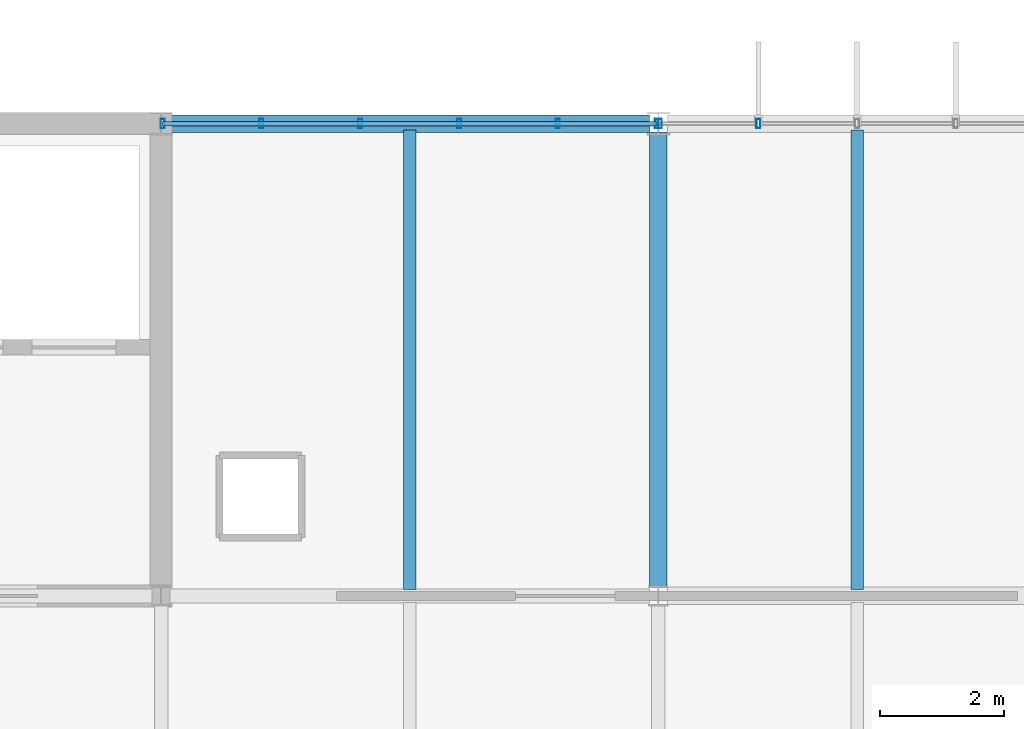
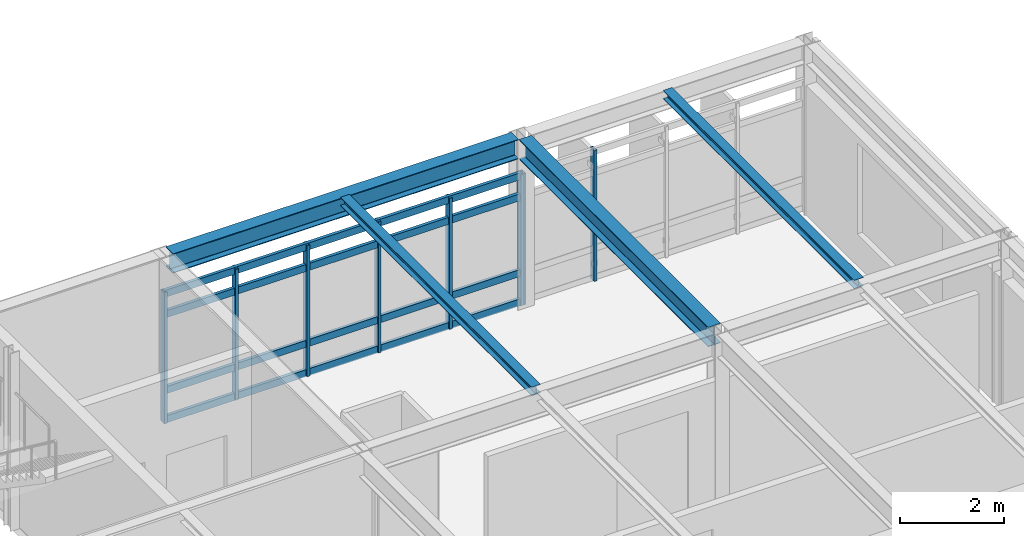
# One storey, part 18 of 45: 12 members, 4 beams, 2 elements without a shape of their own.
"""IFC4 building model written with IfcOpenShell, lengths in metres."""

from ifc_helpers import new_model, si_unit, direction, frame, origin, origin_2d, place, context, subcontext, project, spatial, hollow_rectangle, i_section, extrude, material, material_profile, profile_set, type_object, element, aggregate, save


model = new_model("IFC4")

# Units and contexts
model_context = context("Model", 3, precision=1e-05, world=origin(), true_north=direction((0.0, 1.0)))
body_context = subcontext(model_context, "Body", "Model", "MODEL_VIEW")
ifc_project = project(units=[si_unit("LENGTHUNIT", "METRE"), si_unit("AREAUNIT", "SQUARE_METRE"), si_unit("VOLUMEUNIT", "CUBIC_METRE"), si_unit("PLANEANGLEUNIT", "RADIAN"), si_unit("MASSUNIT", "GRAM", prefix="KILO")], contexts=[model_context])

# Site, building, storey
site_placement = place(None, origin())
site = spatial("IfcSite", under=ifc_project, at=site_placement, CompositionType="ELEMENT")
building_placement = place(site_placement, origin())
building = spatial("IfcBuilding", under=site, at=building_placement, Name="Zulena Civic Courthouse", CompositionType="ELEMENT")
storey_placement = place(building_placement, frame((0.0, 0.0, 29.39990234375)))
storey = spatial("IfcBuildingStorey", under=building, at=storey_placement, Name="L06", CompositionType="ELEMENT", Elevation=29.39990234375)

# Curtain wall, members
ifc_material_1 = material(Name="Double-silver low-E laminated solar-control glass", Category="glass")
curtain_wall_type_1 = type_object("IfcCurtainWallType", Name="CW_7952x3090", PredefinedType="USERDEFINED", material=ifc_material_1)
curtain_wall_1_placement = place(storey_placement, origin())
curtain_wall_1 = element("IfcCurtainWall", 1, at=curtain_wall_1_placement, inside=storey, type_object=curtain_wall_type_1, Name="cw:V2:L06:1:5", ObjectType="UNITISED CURTAIN WALL", PredefinedType="USERDEFINED")
ifc_material_2 = material(Name="Bronze anodised thermally broken aluminium AA6063-T6", Category="aluminium")
ifc_material_profile_1 = material_profile(ifc_material_2, hollow_rectangle(XDim=0.06494140625, YDim=0.14990234375, WallThickness=0.00390625, at=origin_2d()), Name="CWM150X65X4")
ifc_profile_set_1 = profile_set([ifc_material_profile_1], Name="Bronze anodised thermally broken aluminium AA6063-T6")
member_type_1 = type_object("IfcMemberType", Name="CWMullion_150x65", PredefinedType="MULLION", material=ifc_profile_set_1)
member_1_placement = place(storey_placement, frame((52.02392578125, 22.800048828125, 0.0), z_axis=(0.0, 0.0, 1.0), x_axis=(1.0, 0.0, 0.0)))
member_1 = element("IfcMember", 2, at=member_1_placement, type_object=member_type_1, Name="cw:V2:L06:1:5:mull:0", PredefinedType="MULLION", context=body_context, shape_type="SweptSolid", body=[
    extrude(hollow_rectangle(XDim=0.06494140625, YDim=0.14990234375, WallThickness=0.00390625, at=origin_2d()), origin(), (0.0, 0.0, 1.0), 3.090087890625),
])
member_2_placement = place(storey_placement, frame((53.614501953125, 22.800048828125, 0.0), z_axis=(0.0, 0.0, 1.0), x_axis=(1.0, 0.0, 0.0)))
member_2 = element("IfcMember", 3, at=member_2_placement, type_object=member_type_1, Name="cw:V2:L06:1:5:mull:1", PredefinedType="MULLION", context=body_context, shape_type="SweptSolid", body=[
    extrude(hollow_rectangle(XDim=0.06494140625, YDim=0.14990234375, WallThickness=0.00390625, at=origin_2d()), origin(), (0.0, 0.0, 1.0), 3.090087890625),
])
member_3_placement = place(storey_placement, frame((55.204833984375, 22.800048828125, 0.0), z_axis=(0.0, 0.0, 1.0), x_axis=(1.0, 0.0, 0.0)))
member_3 = element("IfcMember", 4, at=member_3_placement, type_object=member_type_1, Name="cw:V2:L06:1:5:mull:2", PredefinedType="MULLION", context=body_context, shape_type="SweptSolid", body=[
    extrude(hollow_rectangle(XDim=0.06494140625, YDim=0.14990234375, WallThickness=0.00390625, at=origin_2d()), origin(), (0.0, 0.0, 1.0), 3.090087890625),
])
member_4_placement = place(storey_placement, frame((56.795166015625, 22.800048828125, 0.0), z_axis=(0.0, 0.0, 1.0), x_axis=(1.0, 0.0, 0.0)))
member_4 = element("IfcMember", 5, at=member_4_placement, type_object=member_type_1, Name="cw:V2:L06:1:5:mull:3", PredefinedType="MULLION", context=body_context, shape_type="SweptSolid", body=[
    extrude(hollow_rectangle(XDim=0.06494140625, YDim=0.14990234375, WallThickness=0.00390625, at=origin_2d()), origin(), (0.0, 0.0, 1.0), 3.090087890625),
])
member_5_placement = place(storey_placement, frame((58.385498046875, 22.800048828125, 0.0), z_axis=(0.0, 0.0, 1.0), x_axis=(1.0, 0.0, 0.0)))
member_5 = element("IfcMember", 6, at=member_5_placement, type_object=member_type_1, Name="cw:V2:L06:1:5:mull:4", PredefinedType="MULLION", context=body_context, shape_type="SweptSolid", body=[
    extrude(hollow_rectangle(XDim=0.06494140625, YDim=0.14990234375, WallThickness=0.00390625, at=origin_2d()), origin(), (0.0, 0.0, 1.0), 3.090087890625),
])
member_6_placement = place(storey_placement, frame((59.97607421875, 22.800048828125, 0.0), z_axis=(0.0, 0.0, 1.0), x_axis=(1.0, 0.0, 0.0)))
member_6 = element("IfcMember", 7, at=member_6_placement, type_object=member_type_1, Name="cw:V2:L06:1:5:mull:5", PredefinedType="MULLION", context=body_context, shape_type="SweptSolid", body=[
    extrude(hollow_rectangle(XDim=0.06494140625, YDim=0.14990234375, WallThickness=0.00390625, at=origin_2d()), origin(), (0.0, 0.0, 1.0), 3.090087890625),
])

curtain_wall_type_2 = type_object("IfcCurtainWallType", Name="CW_6352x3090", PredefinedType="USERDEFINED", material=ifc_material_1)
curtain_wall_2_placement = place(storey_placement, origin())
curtain_wall_2 = element("IfcCurtainWall", 8, at=curtain_wall_2_placement, inside=storey, type_object=curtain_wall_type_2, Name="cw:V2:L06:1:6", ObjectType="UNITISED CURTAIN WALL", PredefinedType="USERDEFINED")
member_7_placement = place(storey_placement, frame((60.02392578125, 22.800048828125, 0.0), z_axis=(0.0, 0.0, 1.0), x_axis=(1.0, 0.0, 0.0)))
member_7 = element("IfcMember", 9, at=member_7_placement, type_object=member_type_1, Name="cw:V2:L06:1:6:mull:0", PredefinedType="MULLION", context=body_context, shape_type="SweptSolid", body=[
    extrude(hollow_rectangle(XDim=0.06494140625, YDim=0.14990234375, WallThickness=0.00390625, at=origin_2d()), origin(), (0.0, 0.0, 1.0), 3.090087890625),
])
member_8_placement = place(storey_placement, frame((61.612060546875, 22.800048828125, 0.0), z_axis=(0.0, 0.0, 1.0), x_axis=(1.0, 0.0, 0.0)))
member_8 = element("IfcMember", 10, at=member_8_placement, type_object=member_type_1, Name="cw:V2:L06:1:6:mull:1", PredefinedType="MULLION", context=body_context, shape_type="SweptSolid", body=[
    extrude(hollow_rectangle(XDim=0.06494140625, YDim=0.14990234375, WallThickness=0.00390625, at=origin_2d()), origin(), (0.0, 0.0, 1.0), 3.090087890625),
])
aggregate(curtain_wall_2, [member_7, member_8])

# Member
ifc_material_profile_2 = material_profile(ifc_material_2, hollow_rectangle(XDim=0.070068359375, YDim=0.1650390625, WallThickness=0.00390625, at=origin_2d()), Name="CWT165X70X4")
ifc_profile_set_2 = profile_set([ifc_material_profile_2], Name="Bronze anodised thermally broken aluminium AA6063-T6")
member_type_2 = type_object("IfcMemberType", Name="CWTransom_165x70", PredefinedType="USERDEFINED", material=ifc_profile_set_2)
member_9_placement = place(storey_placement, frame((52.02392578125, 22.800048828125, 0.06005859375), z_axis=(1.0, 0.0, 0.0), x_axis=(0.0, 1.0, 0.0)))
member_9 = element("IfcMember", 11, at=member_9_placement, type_object=member_type_2, Name="cw:V2:L06:1:5:tran:0", ObjectType="TRANSOM", PredefinedType="USERDEFINED", context=body_context, shape_type="SweptSolid", body=[
    extrude(hollow_rectangle(XDim=0.070068359375, YDim=0.1650390625, WallThickness=0.00390625, at=origin_2d()), origin(), (0.0, 0.0, 1.0), 7.9521484375),
])

member_10_placement = place(storey_placement, frame((52.02392578125, 22.800048828125, 0.75), z_axis=(1.0, 0.0, 0.0), x_axis=(0.0, 1.0, 0.0)))
member_10 = element("IfcMember", 12, at=member_10_placement, type_object=member_type_2, Name="cw:V2:L06:1:5:tran:1", ObjectType="TRANSOM", PredefinedType="USERDEFINED", context=body_context, shape_type="SweptSolid", body=[
    extrude(hollow_rectangle(XDim=0.070068359375, YDim=0.1650390625, WallThickness=0.00390625, at=origin_2d()), origin(), (0.0, 0.0, 1.0), 7.9521484375),
])

member_11_placement = place(storey_placement, frame((52.02392578125, 22.800048828125, 2.5400390625), z_axis=(1.0, 0.0, 0.0), x_axis=(0.0, 1.0, 0.0)))
member_11 = element("IfcMember", 13, at=member_11_placement, type_object=member_type_2, Name="cw:V2:L06:1:5:tran:2", ObjectType="TRANSOM", PredefinedType="USERDEFINED", context=body_context, shape_type="SweptSolid", body=[
    extrude(hollow_rectangle(XDim=0.070068359375, YDim=0.1650390625, WallThickness=0.00390625, at=origin_2d()), origin(), (0.0, 0.0, 1.0), 7.9521484375),
])

member_12_placement = place(storey_placement, frame((52.02392578125, 22.800048828125, 3.030029296875), z_axis=(1.0, 0.0, 0.0), x_axis=(0.0, 1.0, 0.0)))
member_12 = element("IfcMember", 14, at=member_12_placement, type_object=member_type_2, Name="cw:V2:L06:1:5:tran:3", ObjectType="TRANSOM", PredefinedType="USERDEFINED", context=body_context, shape_type="SweptSolid", body=[
    extrude(hollow_rectangle(XDim=0.070068359375, YDim=0.1650390625, WallThickness=0.00390625, at=origin_2d()), origin(), (0.0, 0.0, 1.0), 7.9521484375),
])

aggregate(curtain_wall_1, [member_1, member_2, member_3, member_4, member_5, member_6, member_9, member_10, member_11, member_12])

# Beams
ifc_material_3 = material(Name="Steel ASTM A992 Grade 50", Category="steel")
ifc_material_profile_3 = material_profile(ifc_material_3, i_section(OverallWidth=0.202880859375, OverallDepth=0.202880859375, WebThickness=0.007080078125, FlangeThickness=0.010986328125, FilletRadius=0.007568359375, at=origin_2d()), Name="W8X31")
ifc_profile_set_3 = profile_set([ifc_material_profile_3], Name="Steel ASTM A992 Grade 50")
beam_type_1 = type_object("IfcBeamType", Name="Joist_W8X31", PredefinedType="JOIST", material=ifc_profile_set_3)
for number, where, z_axis, x_axis, name in (
    (15, (56.0, 15.304931640625, 3.898681640625), (0.0, 1.0, 0.0), (-1.0, 0.0, 0.0), "joist:V2:L06:56.00:15.2_22.8"),
    (16, (63.199951171875, 15.304931640625, 3.898681640625), (0.0, 1.0, 0.0), (-1.0, 0.0, 0.0), "joist:V2:L06:63.20:15.2_22.8"),
):
    element("IfcBeam", number, at=place(storey_placement, frame(where, z_axis=z_axis, x_axis=x_axis)), inside=storey, type_object=beam_type_1, Name=name, PredefinedType="JOIST", context=body_context, shape_type="SweptSolid", body=[
        extrude(i_section(OverallWidth=0.202880859375, OverallDepth=0.202880859375, WebThickness=0.007080078125, FlangeThickness=0.010986328125, FilletRadius=0.007568359375, at=origin_2d()), origin(), (0.0, 0.0, 1.0), 7.39013671875),
    ])
ifc_material_profile_4 = material_profile(ifc_material_3, i_section(OverallWidth=0.280029296875, OverallDepth=0.462890625, WebThickness=0.0107421875, FlangeThickness=0.017333984375, FilletRadius=0.01025390625, at=origin_2d()), Name="W18X76")
ifc_profile_set_4 = profile_set([ifc_material_profile_4], Name="Steel ASTM A992 Grade 50")
beam_type_2 = type_object("IfcBeamType", Name="Spandrel_W18X76", PredefinedType="SPANDREL", material=ifc_profile_set_4)
beam_1_placement = place(storey_placement, frame((52.14501953125, 22.800048828125, 3.7685546875), z_axis=(1.0, 0.0, 0.0), x_axis=(0.0, 1.0, 0.0)))
element("IfcBeam", 17, at=beam_1_placement, inside=storey, type_object=beam_type_2, Name="beam:X:V2:L06:22.8:52.0_60.0", PredefinedType="SPANDREL", context=body_context, shape_type="SweptSolid", body=[
    extrude(i_section(OverallWidth=0.280029296875, OverallDepth=0.462890625, WebThickness=0.0107421875, FlangeThickness=0.017333984375, FilletRadius=0.01025390625, at=origin_2d()), origin(), (0.0, 0.0, 1.0), 7.7099609375),
])
beam_2_placement = place(storey_placement, frame((60.0, 15.344970703125, 3.7685546875), z_axis=(0.0, 1.0, 0.0), x_axis=(-1.0, 0.0, 0.0)))
element("IfcBeam", 18, at=beam_2_placement, inside=storey, type_object=beam_type_2, Name="beam:Y:V2:L06:60.0:15.2_22.8", PredefinedType="SPANDREL", context=body_context, shape_type="SweptSolid", body=[
    extrude(i_section(OverallWidth=0.280029296875, OverallDepth=0.462890625, WebThickness=0.0107421875, FlangeThickness=0.017333984375, FilletRadius=0.01025390625, at=origin_2d()), origin(), (0.0, 0.0, 1.0), 7.31005859375),
])

save(model, "model.ifc")
